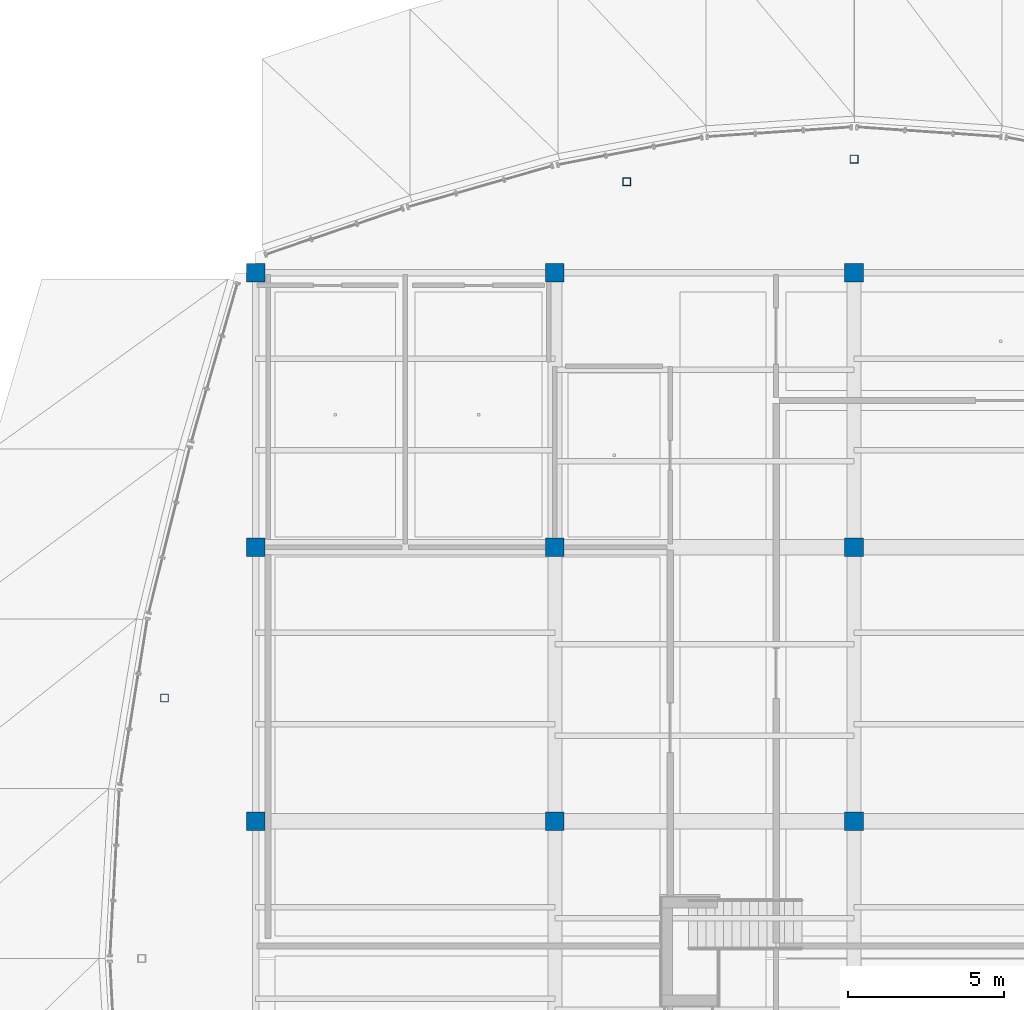
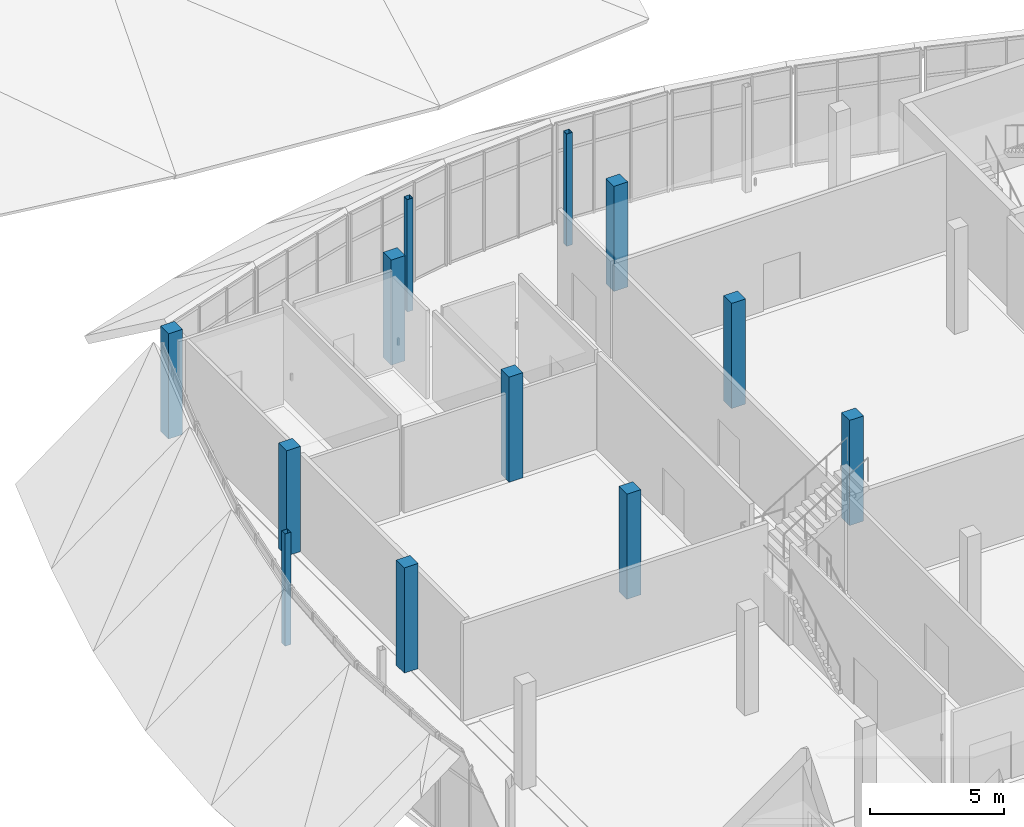
# One storey, part 3 of 116: 12 columns.
"""IFC4 building model written with IfcOpenShell, lengths in metres."""

import ifcopenshell
import ifcopenshell.guid

model = None  # the IFC model being written
_history = None  # IfcOwnerHistory: only IFC2X3 demands one
_inside = {}  # id of a spatial element -> (the spatial element, [elements in it])
_under = {}  # id of a project, library or spatial element -> (it, [spatial elements below it])
_declared = {}  # id of a project -> (the project, [libraries it declares])
_typed = {}  # id of a type object -> (the type object, [elements of that type])
_made_of = {}  # id of a material, layer set ... -> (it, [elements and type objects made of it])


def new_model(schema):
    """Start an empty IFC model of exactly this schema.

    Asked for "IFC4X3", IfcOpenShell would pick the latest addendum, in which some entities
    have other attributes; the version numbers below select the first issue.
    IFC2X3 requires an IfcOwnerHistory on every rooted entity: one is made here for all.
    """
    global model, _history
    if schema == "IFC4X3":
        model = ifcopenshell.file(schema_version=(4, 3, 0, 0))
    else:
        model = ifcopenshell.file(schema=schema)
    _inside.clear()
    _under.clear()
    _declared.clear()
    _typed.clear()
    _made_of.clear()
    _history = None
    if model.schema == "IFC2X3":
        org = make("IfcOrganization", Name="unknown")
        user = make(
            "IfcPersonAndOrganization",
            ThePerson=make("IfcPerson", FamilyName="unknown"),
            TheOrganization=org,
        )
        app = make(
            "IfcApplication",
            ApplicationDeveloper=org,
            Version="unknown",
            ApplicationFullName="unknown",
            ApplicationIdentifier="unknown",
        )
        _history = make(
            "IfcOwnerHistory",
            OwningUser=user,
            OwningApplication=app,
            ChangeAction="ADDED",
            CreationDate=0,
        )
    return model


def make(cls, **values):
    """One entity of the class cls with the attributes given. An attribute that is None is left unset."""
    return model.create_entity(
        cls, **{name: value for name, value in values.items() if value is not None}
    )


def rooted(cls, **values):
    """An entity with a GlobalId (a new one), such as an element, a storey or a relation."""
    return make(cls, GlobalId=ifcopenshell.guid.new(), OwnerHistory=_history, **values)


def si_unit(unit_type, name, prefix=None):
    """IfcSIUnit, for example si_unit("LENGTHUNIT", "METRE", prefix="MILLI")."""
    return make("IfcSIUnit", UnitType=unit_type, Prefix=prefix, Name=name)


def assignment(units):
    """IfcUnitAssignment: the units of a project."""
    return None if units is None else make("IfcUnitAssignment", Units=units)


def point(xyz):
    """IfcCartesianPoint."""
    return None if xyz is None else make("IfcCartesianPoint", Coordinates=xyz)


def direction(xyz):
    """IfcDirection."""
    return None if xyz is None else make("IfcDirection", DirectionRatios=xyz)


def frame(location, z_axis=None, x_axis=None):
    """IfcAxis2Placement3D, a coordinate frame: its origin and axes. An axis left out is left unset."""
    return make(
        "IfcAxis2Placement3D",
        Location=point(location),
        Axis=direction(z_axis),
        RefDirection=direction(x_axis),
    )


def frame_2d(location, x_axis=None):
    """IfcAxis2Placement2D, a coordinate frame in the plane: its origin and x axis."""
    return make(
        "IfcAxis2Placement2D", Location=point(location), RefDirection=direction(x_axis)
    )


def origin():
    """The frame at (0, 0, 0) with its axes left unset."""
    return frame((0.0, 0.0, 0.0))


def origin_2d():
    """The frame at (0, 0) in the plane with its x axis left unset."""
    return frame_2d((0.0, 0.0))


def place(relative_to, where):
    """IfcLocalPlacement: puts the frame where relative to a parent placement (None: the world)."""
    return make(
        "IfcLocalPlacement", PlacementRelTo=relative_to, RelativePlacement=where
    )


def context(
    kind, dimensions, precision=None, world=None, true_north=None, identifier=None
):
    """IfcGeometricRepresentationContext, for example the 3D "Model" context."""
    return make(
        "IfcGeometricRepresentationContext",
        ContextIdentifier=identifier,
        ContextType=kind,
        CoordinateSpaceDimension=dimensions,
        Precision=precision,
        WorldCoordinateSystem=world,
        TrueNorth=true_north,
    )


def subcontext(parent, identifier, kind, view, scale=None):
    """IfcGeometricRepresentationSubContext, for example "Body" below "Model"."""
    return make(
        "IfcGeometricRepresentationSubContext",
        ContextIdentifier=identifier,
        ContextType=kind,
        ParentContext=parent,
        TargetScale=scale,
        TargetView=view,
    )


def project(units=None, contexts=None):
    """IfcProject with its units and contexts."""
    return rooted(
        "IfcProject",
        Name="project",
        RepresentationContexts=contexts,
        UnitsInContext=assignment(units),
    )


def spatial(cls, under=None, at=None, **own):
    """A site, building, storey or space (cls), placed at a placement, below another one or the project."""
    s = rooted(cls, ObjectPlacement=at, **own)
    if under is not None:
        _under.setdefault(under.id(), (under, []))[1].append(s)
    return s


def profile(cls, at=None, kind="AREA", **sizes):
    """A parametric profile (cls). Its sizes go by their IFC names, for example OverallWidth=200.0."""
    return make(cls, ProfileType=kind, Position=at, **sizes)


def rectangle(**sizes):
    """IfcRectangleProfileDef."""
    return profile("IfcRectangleProfileDef", **sizes)


def hollow_rectangle(**sizes):
    """IfcRectangleHollowProfileDef."""
    return profile("IfcRectangleHollowProfileDef", **sizes)


def extrude(swept, where, along, depth):
    """IfcExtrudedAreaSolid: the profile swept, set in the frame where, extruded along a direction by depth."""
    return make(
        "IfcExtrudedAreaSolid",
        SweptArea=swept,
        Position=where,
        ExtrudedDirection=direction(along),
        Depth=depth,
    )


def shape(context_of_items, identifier, shape_type, items):
    """IfcShapeRepresentation: the items that make up one representation, for example the "Body"."""
    return make(
        "IfcShapeRepresentation",
        ContextOfItems=context_of_items,
        RepresentationIdentifier=identifier,
        RepresentationType=shape_type,
        Items=items,
    )


def material(Name=None, Category=None):
    """IfcMaterial."""
    return make("IfcMaterial", Name=Name, Category=Category)


def material_profile(
    of_material, cross_section, Name=None, Category=None, Priority=None
):
    """IfcMaterialProfile: a cross section and its material."""
    return make(
        "IfcMaterialProfile",
        Name=Name,
        Material=of_material,
        Profile=cross_section,
        Priority=Priority,
        Category=Category,
    )


def profile_set(profiles, Name=None, composite=None):
    """IfcMaterialProfileSet."""
    return make(
        "IfcMaterialProfileSet",
        Name=Name,
        MaterialProfiles=profiles,
        CompositeProfile=composite,
    )


def made_of(thing, what):
    """Note that an element or type object is made of a material, layer set ...; save() writes the relation."""
    if what is not None:
        _made_of.setdefault(what.id(), (what, []))[1].append(thing)
    return thing


def type_object(cls, material=None, **own):
    """A type object (cls), such as IfcWallType, which elements share."""
    return made_of(rooted(cls, **own), material)


def element(
    cls,
    number,
    at=None,
    inside=None,
    cuts=None,
    type_object=None,
    material=None,
    context=None,
    identifier="Body",
    shape_type=None,
    held_by="IfcProductDefinitionShape",
    body=None,
    shapes=None,
    **own,
):
    """One element of the class cls, such as IfcWall. Its Tag is "e" and its number.

    at: its placement. inside: the storey or other place that contains it. cuts: it is an
    opening in that element (IfcRelVoidsElement). A single representation is given by context,
    identifier, shape_type and body (its items); several are given by shapes. held_by: the class
    of the entity that holds the representations. save() writes the other relations.
    """
    e = rooted(cls, Tag="e%d" % number, ObjectPlacement=at, **own)
    if body is not None:
        shapes = [shape(context, identifier, shape_type, body)]
    if shapes is not None:
        e.Representation = make(held_by, Representations=shapes)
    if inside is not None:
        _inside.setdefault(inside.id(), (inside, []))[1].append(e)
    if cuts is not None:
        rooted(
            "IfcRelVoidsElement", RelatingBuildingElement=cuts, RelatedOpeningElement=e
        )
    if type_object is not None:
        _typed.setdefault(type_object.id(), (type_object, []))[1].append(e)
    return made_of(e, material)


def aggregate(whole, parts):
    """IfcRelAggregates: a whole, such as a stair, and the parts it consists of."""
    return rooted("IfcRelAggregates", RelatingObject=whole, RelatedObjects=parts)


def save(model, path):
    """Write the relations noted so far, then the file.

    IfcRelAggregates (storeys below a building ...), IfcRelContainedInSpatialStructure (elements
    in a storey), IfcRelDefinesByType, IfcRelAssociatesMaterial and IfcRelDeclares: one each for
    every whole, place, type object, material and project.
    """
    for whole, parts in _under.values():
        aggregate(whole, parts)
    for where, things in _inside.values():
        rooted(
            "IfcRelContainedInSpatialStructure",
            RelatedElements=things,
            RelatingStructure=where,
        )
    for kind, things in _typed.values():
        rooted("IfcRelDefinesByType", RelatedObjects=things, RelatingType=kind)
    for what, things in _made_of.values():
        rooted("IfcRelAssociatesMaterial", RelatedObjects=things, RelatingMaterial=what)
    for by, libraries in _declared.values():
        rooted("IfcRelDeclares", RelatingContext=by, RelatedDefinitions=libraries)
    model.write(path)


model = new_model("IFC4")

# Units and contexts
model_context = context("Model", 3, precision=1e-05, world=origin(), true_north=direction((0.0, 1.0)))
body_context = subcontext(model_context, "Body", "Model", "MODEL_VIEW")
ifc_project = project(units=[si_unit("LENGTHUNIT", "METRE"), si_unit("AREAUNIT", "SQUARE_METRE"), si_unit("VOLUMEUNIT", "CUBIC_METRE"), si_unit("PLANEANGLEUNIT", "RADIAN"), si_unit("MASSUNIT", "GRAM", prefix="KILO")], contexts=[model_context])

# Site, building, storey
site_placement = place(None, origin())
site = spatial("IfcSite", under=ifc_project, at=site_placement, CompositionType="ELEMENT")
building_placement = place(site_placement, origin())
building = spatial("IfcBuilding", under=site, at=building_placement, Name="Chalmorin Arch Market", CompositionType="ELEMENT")
storey_placement = place(building_placement, origin())
storey = spatial("IfcBuildingStorey", under=building, at=storey_placement, Name="L00", CompositionType="ELEMENT", Elevation=0.0)

# Columns
ifc_material_1 = material(Name="Concrete C40/50", Category="concrete")
ifc_material_profile_1 = material_profile(ifc_material_1, rectangle(XDim=0.60009765625, YDim=0.60009765625, at=origin_2d()), Name="RC600X600")
ifc_profile_set_1 = profile_set([ifc_material_profile_1], Name="Concrete C40/50")
column_type_1 = type_object("IfcColumnType", Name="InteriorConcreteColumn-600x600", PredefinedType="COLUMN", material=ifc_profile_set_1)
for number, where, z_axis, x_axis, name in (
    (1, (0.0, 32.39990234375, 0.0), (0.0, 0.0, 1.0), (1.0, 0.0, 0.0), "C-RC2-016"),
    (2, (0.0, 41.199951171875, 0.0), (0.0, 0.0, 1.0), (1.0, 0.0, 0.0), "C-RC2-020"),
    (3, (0.0, 50.0, 0.0), (0.0, 0.0, 1.0), (1.0, 0.0, 0.0), "C-RC2-024"),
    (4, (9.60009765625, 32.39990234375, 0.0), (0.0, 0.0, 1.0), (1.0, 0.0, 0.0), "C-RC2-054"),
    (5, (9.60009765625, 41.199951171875, 0.0), (0.0, 0.0, 1.0), (1.0, 0.0, 0.0), "C-RC2-058"),
    (6, (9.60009765625, 50.0, 0.0), (0.0, 0.0, 1.0), (1.0, 0.0, 0.0), "C-RC2-062"),
    (7, (19.199951171875, 32.39990234375, 0.0), (0.0, 0.0, 1.0), (1.0, 0.0, 0.0), "C-RC2-091"),
    (8, (19.199951171875, 41.199951171875, 0.0), (0.0, 0.0, 1.0), (1.0, 0.0, 0.0), "C-RC2-095"),
    (9, (19.199951171875, 50.0, 0.0), (0.0, 0.0, 1.0), (1.0, 0.0, 0.0), "C-RC2-099"),
):
    element("IfcColumn", number, at=place(storey_placement, frame(where, z_axis=z_axis, x_axis=x_axis)), inside=storey, type_object=column_type_1, Name=name, PredefinedType="COLUMN", context=body_context, shape_type="SweptSolid", body=[
        extrude(rectangle(XDim=0.60009765625, YDim=0.60009765625, at=origin_2d()), origin(), (0.0, 0.0, 1.0), 4.800048828125),
    ])
ifc_material_2 = material(Name="Steel A500 Grade C", Category="steel")
ifc_material_profile_2 = material_profile(ifc_material_2, hollow_rectangle(XDim=0.25390625, YDim=0.25390625, WallThickness=0.01171875, at=origin_2d()), Name="HSS10X10X1/2")
ifc_profile_set_2 = profile_set([ifc_material_profile_2], Name="Steel A500 Grade C")
column_type_2 = type_object("IfcColumnType", Name="SteelTubeColumn-HSS10X10", PredefinedType="COLUMN", material=ifc_profile_set_2)
for number, where, z_axis, x_axis, name in (
    (10, (11.904052734375, 52.924072265625, -0.320068359375), (0.0, 0.0, 1.0), (1.0, 0.0, 0.0), "C-HS2-689"),
    (11, (19.199951171875, 53.64990234375, -0.320068359375), (0.0, 0.0, 1.0), (1.0, 0.0, 0.0), "C-HS2-695"),
    (12, (-2.924072265625, 36.360107421875, -0.320068359375), (0.0, 0.0, 1.0), (1.0, 0.0, 0.0), "C-HS2-698"),
):
    element("IfcColumn", number, at=place(storey_placement, frame(where, z_axis=z_axis, x_axis=x_axis)), inside=storey, type_object=column_type_2, Name=name, PredefinedType="COLUMN", context=body_context, shape_type="SweptSolid", body=[
        extrude(hollow_rectangle(XDim=0.25390625, YDim=0.25390625, WallThickness=0.01171875, at=origin_2d()), origin(), (0.0, 0.0, 1.0), 5.1201171875),
    ])

save(model, "model.ifc")
